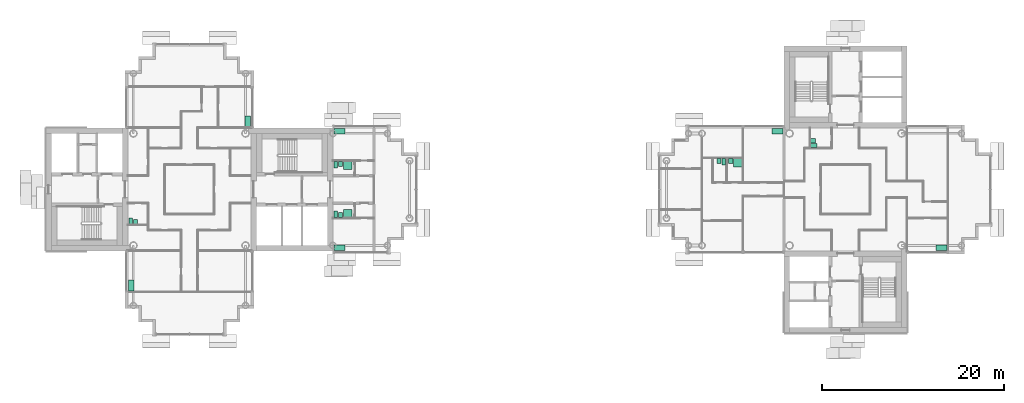
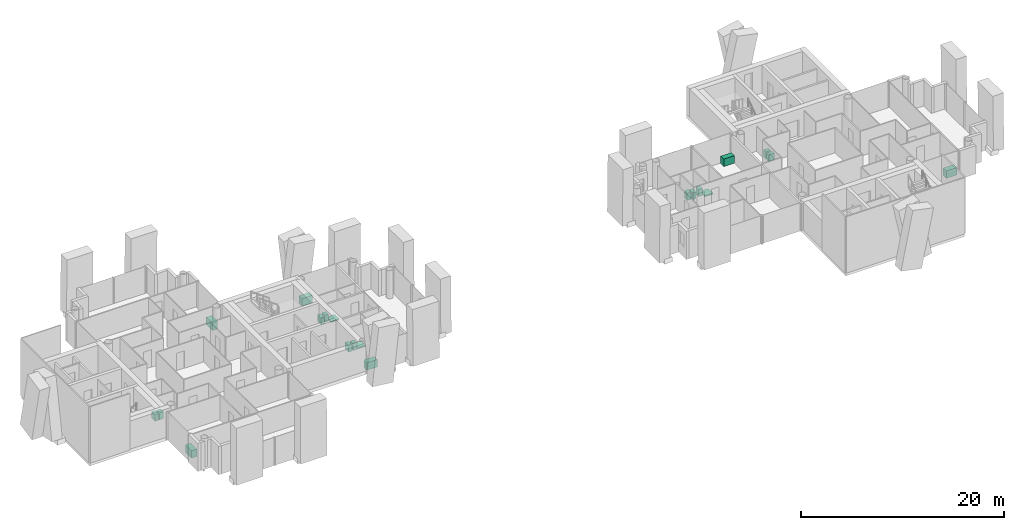
# One storey, part 18 of 18: 20 sanitary terminals.
"""IFC4 building model written with IfcOpenShell, lengths in metres."""

from ifc_helpers import new_model, si_unit, direction, frame, origin, origin_2d, place, context, subcontext, project, spatial, rectangle, extrude, material, type_object, element, save


model = new_model("IFC4")

# Units and contexts
model_context = context("Model", 3, precision=1e-05, world=origin(), true_north=direction((0.0, 1.0)))
body_context = subcontext(model_context, "Body", "Model", "MODEL_VIEW")
ifc_project = project(units=[si_unit("LENGTHUNIT", "METRE"), si_unit("AREAUNIT", "SQUARE_METRE"), si_unit("VOLUMEUNIT", "CUBIC_METRE"), si_unit("PLANEANGLEUNIT", "RADIAN"), si_unit("MASSUNIT", "GRAM", prefix="KILO")], contexts=[model_context])

# Site, building, storey
site_placement = place(None, origin())
site = spatial("IfcSite", under=ifc_project, at=site_placement, CompositionType="ELEMENT")
building_placement = place(site_placement, origin())
building = spatial("IfcBuilding", under=site, at=building_placement, Name="Ipe Terrace Towers", CompositionType="ELEMENT")
storey_placement = place(building_placement, frame((0.0, 0.0, 202.800048828125)))
storey = spatial("IfcBuildingStorey", under=building, at=storey_placement, Name="L56", CompositionType="ELEMENT", Elevation=202.800048828125)

# Sanitary terminals
ifc_material_1 = material(Name="Stainless sink unit", Category="metal")
sanitary_terminal_type_1 = type_object("IfcSanitaryTerminalType", Name="Kitchen sink unit", PredefinedType="SINK", material=ifc_material_1)
for number, where, z_axis, x_axis, name in (
    (1, (-29.6201171875, 7.469970703125, 0.0), (0.0, 0.0, 1.0), (0.0, -1.0, 0.0), "Kitchen sink unit"),
    (2, (-42.3798828125, -10.530029296875, 0.0), (0.0, 0.0, 1.0), (0.0, 1.0, 0.0), "Kitchen sink unit"),
    (3, (-19.530029296875, 6.3798828125, 0.0), (0.0, 0.0, 1.0), (1.0, 0.0, 0.0), "Kitchen sink unit"),
    (4, (-19.530029296875, -6.3798828125, 0.0), (0.0, 0.0, 1.0), (-1.0, 0.0, 0.0), "Kitchen sink unit"),
    (5, (28.530029296875, 6.3798828125, 0.0), (0.0, 0.0, 1.0), (1.0, 0.0, 0.0), "Kitchen sink unit"),
    (6, (46.530029296875, -6.3798828125, 0.0), (0.0, 0.0, 1.0), (-1.0, 0.0, 0.0), "Kitchen sink unit"),
):
    element("IfcSanitaryTerminal", number, at=place(storey_placement, frame(where, z_axis=z_axis, x_axis=x_axis)), inside=storey, type_object=sanitary_terminal_type_1, Name=name, PredefinedType="SINK", context=body_context, shape_type="SweptSolid", body=[
        extrude(rectangle(XDim=1.199951171875, YDim=0.60009765625, at=origin_2d()), origin(), (0.0, 0.0, 1.0), 0.89990234375),
    ])
ifc_material_2 = material(Name="Acrylic", Category="plastic")
sanitary_terminal_type_2 = type_object("IfcSanitaryTerminalType", Name="Shower tray", PredefinedType="SHOWER", material=ifc_material_2)
for number, where, z_axis, x_axis, name in (
    (7, (-18.6298828125, 2.6298828125, 0.0), (0.0, 0.0, 1.0), (0.0, -1.0, 0.0), "Shower tray"),
    (8, (-18.6298828125, -2.6298828125, 0.0), (0.0, 0.0, 1.0), (0.0, 1.0, 0.0), "Shower tray"),
    (9, (24.179931640625, 2.929931640625, 0.0), (0.0, 0.0, 1.0), (0.0, -1.0, 0.0), "Shower tray"),
):
    element("IfcSanitaryTerminal", number, at=place(storey_placement, frame(where, z_axis=z_axis, x_axis=x_axis)), inside=storey, type_object=sanitary_terminal_type_2, Name=name, PredefinedType="SHOWER", context=body_context, shape_type="SweptSolid", body=[
        extrude(rectangle(XDim=0.89990234375, YDim=0.89990234375, at=origin_2d()), origin(), (0.0, 0.0, 1.0), 0.14990234375),
    ])
ifc_material_3 = material(Name="Vitreous china", Category="ceramic")
sanitary_terminal_type_3 = type_object("IfcSanitaryTerminalType", Name="Wash basin", PredefinedType="WASHHANDBASIN", material=ifc_material_3)
for number, where, z_axis, x_axis, name in (
    (10, (-41.905029296875, -3.554931640625, 0.0), (0.0, 0.0, 1.0), (0.0, 1.0, 0.0), "Wash basin"),
    (11, (-19.405029296875, 2.804931640625, 0.0), (0.0, 0.0, 1.0), (0.0, -1.0, 0.0), "Wash basin"),
    (12, (-19.405029296875, -2.804931640625, 0.0), (0.0, 0.0, 1.0), (0.0, 1.0, 0.0), "Wash basin"),
    (13, (32.445068359375, 5.344970703125, 0.0), (0.0, 0.0, 1.0), (1.0, 0.0, 0.0), "Wash basin"),
    (14, (23.405029296875, 3.10498046875, 0.0), (0.0, 0.0, 1.0), (0.0, -1.0, 0.0), "Wash basin"),
    (15, (22.10498046875, 3.10498046875, 0.0), (0.0, 0.0, 1.0), (0.0, -1.0, 0.0), "Wash basin"),
):
    element("IfcSanitaryTerminal", number, at=place(storey_placement, frame(where, z_axis=z_axis, x_axis=x_axis)), inside=storey, type_object=sanitary_terminal_type_3, Name=name, PredefinedType="WASHHANDBASIN", context=body_context, shape_type="SweptSolid", body=[
        extrude(rectangle(XDim=0.550048828125, YDim=0.449951171875, at=origin_2d()), origin(), (0.0, 0.0, 1.0), 0.85009765625),
    ])
ifc_material_4 = material(Name="Vitreous china", Category="ceramic")
sanitary_terminal_type_4 = type_object("IfcSanitaryTerminalType", Name="Water closet", PredefinedType="TOILETPAN", material=ifc_material_4)
for number, where, z_axis, x_axis, name in (
    (16, (-42.429931640625, -3.47998046875, 0.0), (0.0, 0.0, 1.0), (0.0, 1.0, 0.0), "Water closet"),
    (17, (-19.929931640625, 2.72998046875, 0.0), (0.0, 0.0, 1.0), (0.0, -1.0, 0.0), "Water closet"),
    (18, (-19.929931640625, -2.72998046875, 0.0), (0.0, 0.0, 1.0), (0.0, 1.0, 0.0), "Water closet"),
    (19, (32.52001953125, 4.820068359375, 0.0), (0.0, 0.0, 1.0), (1.0, 0.0, 0.0), "Water closet"),
    (20, (22.6298828125, 3.030029296875, 0.0), (0.0, 0.0, 1.0), (0.0, -1.0, 0.0), "Water closet"),
):
    element("IfcSanitaryTerminal", number, at=place(storey_placement, frame(where, z_axis=z_axis, x_axis=x_axis)), inside=storey, type_object=sanitary_terminal_type_4, Name=name, PredefinedType="TOILETPAN", context=body_context, shape_type="SweptSolid", body=[
        extrude(rectangle(XDim=0.699951171875, YDim=0.39990234375, at=origin_2d()), origin(), (0.0, 0.0, 1.0), 0.780029296875),
    ])

save(model, "model.ifc")
